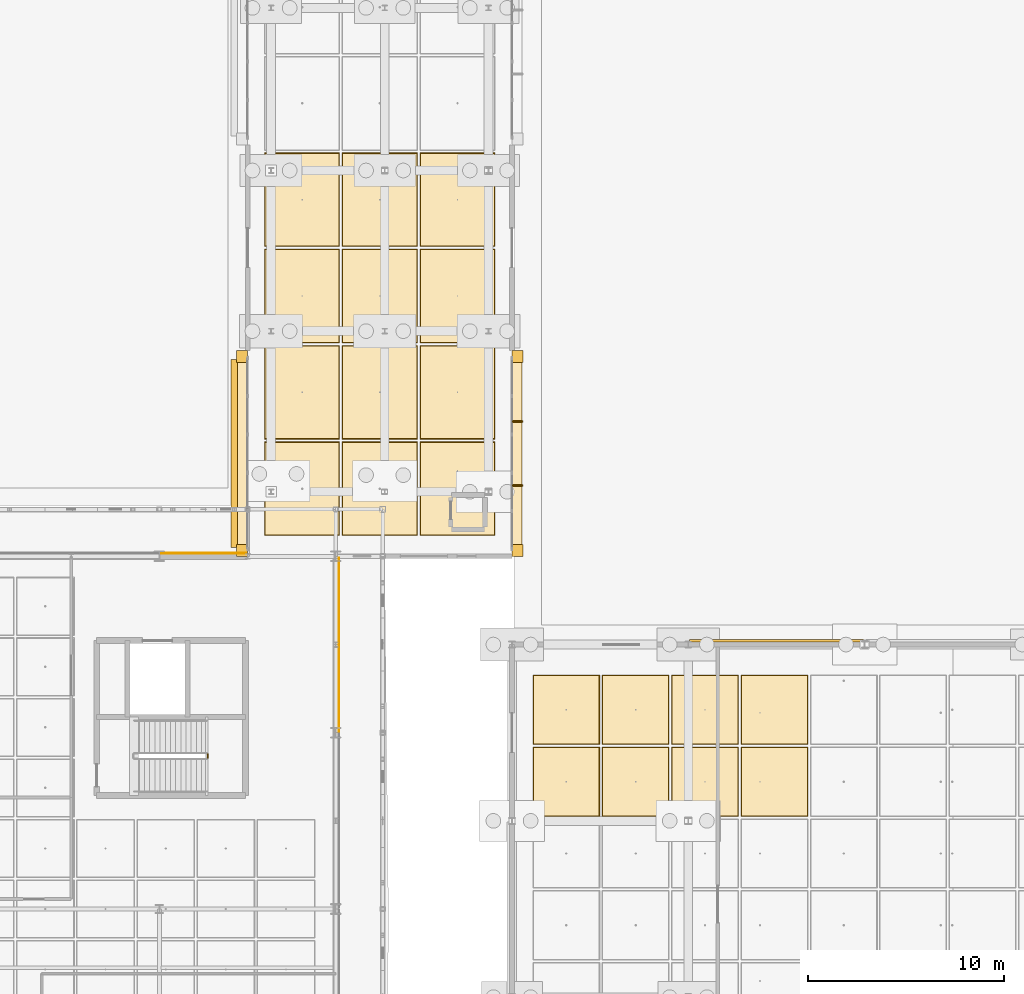
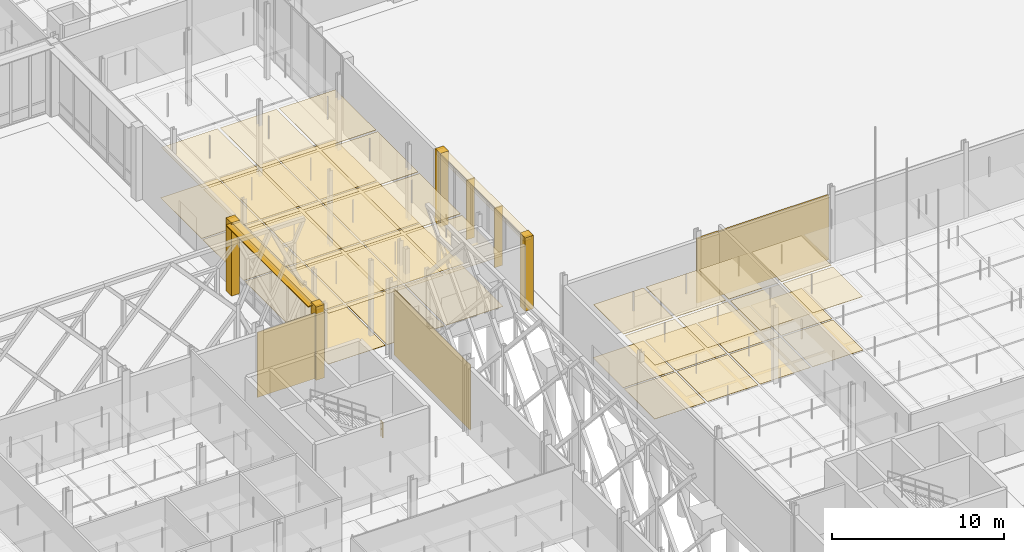
# One storey, part 168 of 180: 49 coverings, 3 shading devices, 1 railing.
"""IFC4 building model written with IfcOpenShell, lengths in metres."""

import ifcopenshell
import ifcopenshell.guid

model = None  # the IFC model being written
_history = None  # IfcOwnerHistory: only IFC2X3 demands one
_inside = {}  # id of a spatial element -> (the spatial element, [elements in it])
_under = {}  # id of a project, library or spatial element -> (it, [spatial elements below it])
_declared = {}  # id of a project -> (the project, [libraries it declares])
_typed = {}  # id of a type object -> (the type object, [elements of that type])
_made_of = {}  # id of a material, layer set ... -> (it, [elements and type objects made of it])


def new_model(schema):
    """Start an empty IFC model of exactly this schema.

    Asked for "IFC4X3", IfcOpenShell would pick the latest addendum, in which some entities
    have other attributes; the version numbers below select the first issue.
    IFC2X3 requires an IfcOwnerHistory on every rooted entity: one is made here for all.
    """
    global model, _history
    if schema == "IFC4X3":
        model = ifcopenshell.file(schema_version=(4, 3, 0, 0))
    else:
        model = ifcopenshell.file(schema=schema)
    _inside.clear()
    _under.clear()
    _declared.clear()
    _typed.clear()
    _made_of.clear()
    _history = None
    if model.schema == "IFC2X3":
        org = make("IfcOrganization", Name="unknown")
        user = make(
            "IfcPersonAndOrganization",
            ThePerson=make("IfcPerson", FamilyName="unknown"),
            TheOrganization=org,
        )
        app = make(
            "IfcApplication",
            ApplicationDeveloper=org,
            Version="unknown",
            ApplicationFullName="unknown",
            ApplicationIdentifier="unknown",
        )
        _history = make(
            "IfcOwnerHistory",
            OwningUser=user,
            OwningApplication=app,
            ChangeAction="ADDED",
            CreationDate=0,
        )
    return model


def make(cls, **values):
    """One entity of the class cls with the attributes given. An attribute that is None is left unset."""
    return model.create_entity(
        cls, **{name: value for name, value in values.items() if value is not None}
    )


def rooted(cls, **values):
    """An entity with a GlobalId (a new one), such as an element, a storey or a relation."""
    return make(cls, GlobalId=ifcopenshell.guid.new(), OwnerHistory=_history, **values)


def si_unit(unit_type, name, prefix=None):
    """IfcSIUnit, for example si_unit("LENGTHUNIT", "METRE", prefix="MILLI")."""
    return make("IfcSIUnit", UnitType=unit_type, Prefix=prefix, Name=name)


def assignment(units):
    """IfcUnitAssignment: the units of a project."""
    return None if units is None else make("IfcUnitAssignment", Units=units)


def point(xyz):
    """IfcCartesianPoint."""
    return None if xyz is None else make("IfcCartesianPoint", Coordinates=xyz)


def direction(xyz):
    """IfcDirection."""
    return None if xyz is None else make("IfcDirection", DirectionRatios=xyz)


def frame(location, z_axis=None, x_axis=None):
    """IfcAxis2Placement3D, a coordinate frame: its origin and axes. An axis left out is left unset."""
    return make(
        "IfcAxis2Placement3D",
        Location=point(location),
        Axis=direction(z_axis),
        RefDirection=direction(x_axis),
    )


def frame_2d(location, x_axis=None):
    """IfcAxis2Placement2D, a coordinate frame in the plane: its origin and x axis."""
    return make(
        "IfcAxis2Placement2D", Location=point(location), RefDirection=direction(x_axis)
    )


def origin():
    """The frame at (0, 0, 0) with its axes left unset."""
    return frame((0.0, 0.0, 0.0))


def origin_2d():
    """The frame at (0, 0) in the plane with its x axis left unset."""
    return frame_2d((0.0, 0.0))


def place(relative_to, where):
    """IfcLocalPlacement: puts the frame where relative to a parent placement (None: the world)."""
    return make(
        "IfcLocalPlacement", PlacementRelTo=relative_to, RelativePlacement=where
    )


def context(
    kind, dimensions, precision=None, world=None, true_north=None, identifier=None
):
    """IfcGeometricRepresentationContext, for example the 3D "Model" context."""
    return make(
        "IfcGeometricRepresentationContext",
        ContextIdentifier=identifier,
        ContextType=kind,
        CoordinateSpaceDimension=dimensions,
        Precision=precision,
        WorldCoordinateSystem=world,
        TrueNorth=true_north,
    )


def subcontext(parent, identifier, kind, view, scale=None):
    """IfcGeometricRepresentationSubContext, for example "Body" below "Model"."""
    return make(
        "IfcGeometricRepresentationSubContext",
        ContextIdentifier=identifier,
        ContextType=kind,
        ParentContext=parent,
        TargetScale=scale,
        TargetView=view,
    )


def project(units=None, contexts=None):
    """IfcProject with its units and contexts."""
    return rooted(
        "IfcProject",
        Name="project",
        RepresentationContexts=contexts,
        UnitsInContext=assignment(units),
    )


def spatial(cls, under=None, at=None, **own):
    """A site, building, storey or space (cls), placed at a placement, below another one or the project."""
    s = rooted(cls, ObjectPlacement=at, **own)
    if under is not None:
        _under.setdefault(under.id(), (under, []))[1].append(s)
    return s


def profile(cls, at=None, kind="AREA", **sizes):
    """A parametric profile (cls). Its sizes go by their IFC names, for example OverallWidth=200.0."""
    return make(cls, ProfileType=kind, Position=at, **sizes)


def rectangle(**sizes):
    """IfcRectangleProfileDef."""
    return profile("IfcRectangleProfileDef", **sizes)


def circle(**sizes):
    """IfcCircleProfileDef."""
    return profile("IfcCircleProfileDef", **sizes)


def extrude(swept, where, along, depth):
    """IfcExtrudedAreaSolid: the profile swept, set in the frame where, extruded along a direction by depth."""
    return make(
        "IfcExtrudedAreaSolid",
        SweptArea=swept,
        Position=where,
        ExtrudedDirection=direction(along),
        Depth=depth,
    )


def shape(context_of_items, identifier, shape_type, items):
    """IfcShapeRepresentation: the items that make up one representation, for example the "Body"."""
    return make(
        "IfcShapeRepresentation",
        ContextOfItems=context_of_items,
        RepresentationIdentifier=identifier,
        RepresentationType=shape_type,
        Items=items,
    )


def material(Name=None, Category=None):
    """IfcMaterial."""
    return make("IfcMaterial", Name=Name, Category=Category)


def layer(
    of_material, thickness, ventilated=None, Name=None, Category=None, Priority=None
):
    """IfcMaterialLayer: one layer of a wall or slab, of a material (None: an air gap)."""
    return make(
        "IfcMaterialLayer",
        Material=of_material,
        LayerThickness=thickness,
        IsVentilated=ventilated,
        Name=Name,
        Category=Category,
        Priority=Priority,
    )


def layer_set(layers, Name=None):
    """IfcMaterialLayerSet."""
    return make("IfcMaterialLayerSet", MaterialLayers=layers, LayerSetName=Name)


def made_of(thing, what):
    """Note that an element or type object is made of a material, layer set ...; save() writes the relation."""
    if what is not None:
        _made_of.setdefault(what.id(), (what, []))[1].append(thing)
    return thing


def type_object(cls, material=None, **own):
    """A type object (cls), such as IfcWallType, which elements share."""
    return made_of(rooted(cls, **own), material)


def element(
    cls,
    number,
    at=None,
    inside=None,
    cuts=None,
    type_object=None,
    material=None,
    context=None,
    identifier="Body",
    shape_type=None,
    held_by="IfcProductDefinitionShape",
    body=None,
    shapes=None,
    **own,
):
    """One element of the class cls, such as IfcWall. Its Tag is "e" and its number.

    at: its placement. inside: the storey or other place that contains it. cuts: it is an
    opening in that element (IfcRelVoidsElement). A single representation is given by context,
    identifier, shape_type and body (its items); several are given by shapes. held_by: the class
    of the entity that holds the representations. save() writes the other relations.
    """
    e = rooted(cls, Tag="e%d" % number, ObjectPlacement=at, **own)
    if body is not None:
        shapes = [shape(context, identifier, shape_type, body)]
    if shapes is not None:
        e.Representation = make(held_by, Representations=shapes)
    if inside is not None:
        _inside.setdefault(inside.id(), (inside, []))[1].append(e)
    if cuts is not None:
        rooted(
            "IfcRelVoidsElement", RelatingBuildingElement=cuts, RelatedOpeningElement=e
        )
    if type_object is not None:
        _typed.setdefault(type_object.id(), (type_object, []))[1].append(e)
    return made_of(e, material)


def aggregate(whole, parts):
    """IfcRelAggregates: a whole, such as a stair, and the parts it consists of."""
    return rooted("IfcRelAggregates", RelatingObject=whole, RelatedObjects=parts)


def save(model, path):
    """Write the relations noted so far, then the file.

    IfcRelAggregates (storeys below a building ...), IfcRelContainedInSpatialStructure (elements
    in a storey), IfcRelDefinesByType, IfcRelAssociatesMaterial and IfcRelDeclares: one each for
    every whole, place, type object, material and project.
    """
    for whole, parts in _under.values():
        aggregate(whole, parts)
    for where, things in _inside.values():
        rooted(
            "IfcRelContainedInSpatialStructure",
            RelatedElements=things,
            RelatingStructure=where,
        )
    for kind, things in _typed.values():
        rooted("IfcRelDefinesByType", RelatedObjects=things, RelatingType=kind)
    for what, things in _made_of.values():
        rooted("IfcRelAssociatesMaterial", RelatedObjects=things, RelatingMaterial=what)
    for by, libraries in _declared.values():
        rooted("IfcRelDeclares", RelatingContext=by, RelatedDefinitions=libraries)
    model.write(path)


model = new_model("IFC4")

# Units and contexts
model_context = context("Model", 3, precision=1e-05, world=origin(), true_north=direction((0.0, 1.0)))
body_context = subcontext(model_context, "Body", "Model", "MODEL_VIEW")
ifc_project = project(units=[si_unit("LENGTHUNIT", "METRE"), si_unit("AREAUNIT", "SQUARE_METRE"), si_unit("VOLUMEUNIT", "CUBIC_METRE"), si_unit("PLANEANGLEUNIT", "RADIAN"), si_unit("MASSUNIT", "GRAM", prefix="KILO"), si_unit("THERMODYNAMICTEMPERATUREUNIT", "KELVIN"), si_unit("POWERUNIT", "WATT")], contexts=[model_context])

# Site, building, storey
site_placement = place(None, origin())
site = spatial("IfcSite", under=ifc_project, at=site_placement, CompositionType="ELEMENT")
building_placement = place(site_placement, origin())
building = spatial("IfcBuilding", under=site, at=building_placement, Name="Tallowbark Science Centre", CompositionType="ELEMENT")
storey_placement = place(building_placement, origin())
storey = spatial("IfcBuildingStorey", under=building, at=storey_placement, Name="L00", CompositionType="ELEMENT", Elevation=0.0)

# Coverings
ifc_material_1 = material(Name="Perforated Spotted Gum Acoustic Baffle Ceiling", Category="wood")
ifc_layer_1 = layer(ifc_material_1, 0.02490234375)
ifc_layer_set_1 = layer_set([ifc_layer_1], Name="Perforated Spotted Gum Acoustic Baffle Ceiling")
covering_type_1 = type_object("IfcCoveringType", Name="CLG-TIM-25", PredefinedType="CEILING", material=ifc_layer_set_1)
for number, where, z_axis, x_axis, name in (
    (1, (115.270751953125, 29.0, 3.78759765625), (0.0, 0.0, 1.0), (1.0, 0.0, 0.0), "Suspended Ceiling L00-205"),
    (2, (115.270751953125, 32.666748046875, 3.78759765625), (0.0, 0.0, 1.0), (1.0, 0.0, 0.0), "Suspended Ceiling L00-206"),
    (3, (118.8125, 29.0, 3.78759765625), (0.0, 0.0, 1.0), (1.0, 0.0, 0.0), "Suspended Ceiling L00-211"),
    (4, (118.8125, 32.666748046875, 3.78759765625), (0.0, 0.0, 1.0), (1.0, 0.0, 0.0), "Suspended Ceiling L00-212"),
    (5, (122.354248046875, 29.0, 3.78759765625), (0.0, 0.0, 1.0), (1.0, 0.0, 0.0), "Suspended Ceiling L00-217"),
    (6, (122.354248046875, 32.666748046875, 3.78759765625), (0.0, 0.0, 1.0), (1.0, 0.0, 0.0), "Suspended Ceiling L00-218"),
    (7, (125.895751953125, 29.0, 3.78759765625), (0.0, 0.0, 1.0), (1.0, 0.0, 0.0), "Suspended Ceiling L00-223"),
    (8, (125.895751953125, 32.666748046875, 3.78759765625), (0.0, 0.0, 1.0), (1.0, 0.0, 0.0), "Suspended Ceiling L00-224"),
):
    element("IfcCovering", number, at=place(storey_placement, frame(where, z_axis=z_axis, x_axis=x_axis)), inside=storey, type_object=covering_type_1, Name=name, PredefinedType="CEILING", context=body_context, shape_type="SweptSolid", body=[
        extrude(rectangle(XDim=3.36181640625, YDim=3.48681640625, at=origin_2d()), origin(), (0.0, 0.0, 1.0), 0.02490234375),
    ])
for number, where, z_axis, x_axis, name in (
    (9, (101.783203125, 43.958251953125, 3.587646484375), (0.0, 0.0, 1.0), (1.0, 0.0, 0.0), "Suspended Ceiling L00-465"),
    (10, (101.783203125, 48.875, 3.587646484375), (0.0, 0.0, 1.0), (1.0, 0.0, 0.0), "Suspended Ceiling L00-466"),
    (11, (101.783203125, 53.791748046875, 3.587646484375), (0.0, 0.0, 1.0), (1.0, 0.0, 0.0), "Suspended Ceiling L00-467"),
    (12, (101.783203125, 58.708251953125, 3.587646484375), (0.0, 0.0, 1.0), (1.0, 0.0, 0.0), "Suspended Ceiling L00-468"),
    (13, (105.75, 43.958251953125, 3.587646484375), (0.0, 0.0, 1.0), (1.0, 0.0, 0.0), "Suspended Ceiling L00-471"),
    (14, (105.75, 48.875, 3.587646484375), (0.0, 0.0, 1.0), (1.0, 0.0, 0.0), "Suspended Ceiling L00-472"),
    (15, (105.75, 53.791748046875, 3.587646484375), (0.0, 0.0, 1.0), (1.0, 0.0, 0.0), "Suspended Ceiling L00-473"),
    (16, (105.75, 58.708251953125, 3.587646484375), (0.0, 0.0, 1.0), (1.0, 0.0, 0.0), "Suspended Ceiling L00-474"),
    (17, (109.716796875, 43.958251953125, 3.587646484375), (0.0, 0.0, 1.0), (1.0, 0.0, 0.0), "Suspended Ceiling L00-477"),
    (18, (109.716796875, 48.875, 3.587646484375), (0.0, 0.0, 1.0), (1.0, 0.0, 0.0), "Suspended Ceiling L00-478"),
    (19, (109.716796875, 53.791748046875, 3.587646484375), (0.0, 0.0, 1.0), (1.0, 0.0, 0.0), "Suspended Ceiling L00-479"),
    (20, (109.716796875, 58.708251953125, 3.587646484375), (0.0, 0.0, 1.0), (1.0, 0.0, 0.0), "Suspended Ceiling L00-480"),
):
    element("IfcCovering", number, at=place(storey_placement, frame(where, z_axis=z_axis, x_axis=x_axis)), inside=storey, type_object=covering_type_1, Name=name, PredefinedType="CEILING", context=body_context, shape_type="SweptSolid", body=[
        extrude(rectangle(XDim=3.78662109375, YDim=4.73681640625, at=origin_2d()), origin(), (0.0, 0.0, 1.0), 0.02490234375),
    ])
ifc_material_2 = material(Name="White Architectural Precast Concrete Grade N40 (40 MPa)", Category="concrete")
ifc_layer_2 = layer(ifc_material_2, 0.1201171875)
ifc_layer_set_2 = layer_set([ifc_layer_2], Name="White Architectural Precast Concrete Grade N40 (40 MPa)")
covering_type_2 = type_object("IfcCoveringType", Name="COV-PRC-CLAD", PredefinedType="CLADDING", material=ifc_layer_set_2)
covering_1_placement = place(storey_placement, frame((126.0, 36.1923828125, 0.0498046875), z_axis=(0.0, 0.0, 1.0), x_axis=(-1.0, 0.0, 0.0)))
element("IfcCovering", 21, at=covering_1_placement, inside=storey, type_object=covering_type_2, Name="Architectural Rainscreen THT-N-L00-1", PredefinedType="CLADDING", context=body_context, shape_type="SweptSolid", body=[
    extrude(rectangle(XDim=8.8798828125, YDim=0.1201171875, at=origin_2d()), origin(), (0.0, 0.0, 1.0), 4.581298828125),
])
for number, where, z_axis, x_axis, name in (
    (22, (98.719970703125, 50.695068359375, 0.0), (0.0, 0.0, 1.0), (0.0, -1.0, 0.0), "Postmodern Deep Precast Pier CW-L00-006-1"),
    (23, (98.719970703125, 40.804931640625, 0.0), (0.0, 0.0, 1.0), (0.0, -1.0, 0.0), "Postmodern Deep Precast Pier CW-L00-006-2"),
    (24, (112.780029296875, 40.804931640625, 0.0), (0.0, 0.0, 1.0), (0.0, 1.0, 0.0), "Postmodern Deep Precast Pier CW-L00-007-1"),
    (25, (112.780029296875, 50.695068359375, 0.0), (0.0, 0.0, 1.0), (0.0, 1.0, 0.0), "Postmodern Deep Precast Pier CW-L00-007-2"),
):
    element("IfcCovering", number, at=place(storey_placement, frame(where, z_axis=z_axis, x_axis=x_axis)), inside=storey, type_object=covering_type_2, Name=name, PredefinedType="CLADDING", context=body_context, shape_type="SweptSolid", body=[
        extrude(rectangle(XDim=0.610107421875, YDim=0.56005859375, at=origin_2d()), origin(), (0.0, 0.0, 1.0), 5.219970703125),
    ])
ifc_material_3 = material(Name="Vitrified Ochre Terracotta Architectural Rainscreen", Category="masonry")
ifc_layer_3 = layer(ifc_material_3, 0.0380859375)
ifc_layer_set_3 = layer_set([ifc_layer_3], Name="Vitrified Ochre Terracotta Architectural Rainscreen")
covering_type_3 = type_object("IfcCoveringType", Name="COV-TER-CLAD", PredefinedType="CLADDING", material=ifc_layer_set_3)
for number, where, z_axis, x_axis, name in (
    (26, (98.739990234375, 45.75, 4.8701171875), (0.0, 0.0, 1.0), (0.0, -1.0, 0.0), "Postmodern Terracotta Cornice Band CW-L00-006"),
    (27, (112.760009765625, 45.75, 4.8701171875), (0.0, 0.0, 1.0), (0.0, 1.0, 0.0), "Postmodern Terracotta Cornice Band CW-L00-007"),
):
    element("IfcCovering", number, at=place(storey_placement, frame(where, z_axis=z_axis, x_axis=x_axis)), inside=storey, type_object=covering_type_3, Name=name, PredefinedType="CLADDING", context=body_context, shape_type="SweptSolid", body=[
        extrude(rectangle(XDim=10.199951171875, YDim=0.52001953125, at=origin_2d()), origin(), (0.0, 0.0, 1.0), 0.340087890625),
    ])
ifc_material_4 = material(Name="Spotted Gum Hardwood Architectural Rainscreen", Category="wood")
ifc_layer_4 = layer(ifc_material_4, 0.0419921875)
ifc_layer_set_4 = layer_set([ifc_layer_4], Name="Spotted Gum Hardwood Architectural Rainscreen")
covering_type_4 = type_object("IfcCoveringType", Name="COV-TIM-CLAD", PredefinedType="CLADDING", material=ifc_layer_set_4)
covering_2_placement = place(storey_placement, frame((96.75, 40.66845703125, 0.0498046875), z_axis=(0.0, 0.0, 1.0), x_axis=(-1.0, 0.0, 0.0)))
element("IfcCovering", 28, at=covering_2_placement, inside=storey, type_object=covering_type_4, Name="Architectural Rainscreen CUB-N-L00-4", PredefinedType="CLADDING", context=body_context, shape_type="SweptSolid", body=[
    extrude(rectangle(XDim=4.3798828125, YDim=0.0419921875, at=origin_2d()), origin(), (0.0, 0.0, 1.0), 4.646240234375),
])
covering_3_placement = place(storey_placement, frame((103.66845703125, 36.0, 0.0498046875), z_axis=(0.0, 0.0, 1.0), x_axis=(0.0, 1.0, 0.0)))
element("IfcCovering", 29, at=covering_3_placement, inside=storey, type_object=covering_type_4, Name="Architectural Rainscreen CUB-E-L00-3", PredefinedType="CLADDING", context=body_context, shape_type="SweptSolid", body=[
    extrude(rectangle(XDim=8.8798828125, YDim=0.0419921875, at=origin_2d()), origin(), (0.0, 0.0, 1.0), 4.646240234375),
])
ifc_material_5 = material(Name="Solution-Dyed Acoustic Theatre Carpet Tile")
ifc_layer_5 = layer(ifc_material_5, 0.013916015625)
ifc_layer_set_5 = layer_set([ifc_layer_5], Name="Solution-Dyed Acoustic Theatre Carpet Tile")
covering_type_5 = type_object("IfcCoveringType", Name="FLR-CRP-14", PredefinedType="FLOORING", material=ifc_layer_set_5)
for number, where, z_axis, x_axis, name in (
    (30, (115.270751953125, 29.0, 0.0), (0.0, 0.0, 1.0), (1.0, 0.0, 0.0), "Floor Finish L00-205"),
    (31, (115.270751953125, 32.666748046875, 0.0), (0.0, 0.0, 1.0), (1.0, 0.0, 0.0), "Floor Finish L00-206"),
    (32, (118.8125, 29.0, 0.0), (0.0, 0.0, 1.0), (1.0, 0.0, 0.0), "Floor Finish L00-211"),
    (33, (118.8125, 32.666748046875, 0.0), (0.0, 0.0, 1.0), (1.0, 0.0, 0.0), "Floor Finish L00-212"),
    (34, (122.354248046875, 29.0, 0.0), (0.0, 0.0, 1.0), (1.0, 0.0, 0.0), "Floor Finish L00-217"),
    (35, (122.354248046875, 32.666748046875, 0.0), (0.0, 0.0, 1.0), (1.0, 0.0, 0.0), "Floor Finish L00-218"),
    (36, (125.895751953125, 29.0, 0.0), (0.0, 0.0, 1.0), (1.0, 0.0, 0.0), "Floor Finish L00-223"),
    (37, (125.895751953125, 32.666748046875, 0.0), (0.0, 0.0, 1.0), (1.0, 0.0, 0.0), "Floor Finish L00-224"),
):
    element("IfcCovering", number, at=place(storey_placement, frame(where, z_axis=z_axis, x_axis=x_axis)), inside=storey, type_object=covering_type_5, Name=name, PredefinedType="FLOORING", context=body_context, shape_type="SweptSolid", body=[
        extrude(rectangle(XDim=3.421630859375, YDim=3.546630859375, at=origin_2d()), origin(), (0.0, 0.0, 1.0), 0.013916015625),
    ])
ifc_material_6 = material(Name="Polished Recycled-Glass Terrazzo Foyer Flooring", Category="glass")
ifc_layer_6 = layer(ifc_material_6, 0.02001953125)
ifc_layer_set_6 = layer_set([ifc_layer_6], Name="Polished Recycled-Glass Terrazzo Foyer Flooring")
covering_type_6 = type_object("IfcCoveringType", Name="FLR-TER-20", PredefinedType="FLOORING", material=ifc_layer_set_6)
for number, where, z_axis, x_axis, name in (
    (38, (101.783203125, 43.958251953125, 0.0), (0.0, 0.0, 1.0), (1.0, 0.0, 0.0), "Floor Finish L00-465"),
    (39, (101.783203125, 48.875, 0.0), (0.0, 0.0, 1.0), (1.0, 0.0, 0.0), "Floor Finish L00-466"),
    (40, (101.783203125, 53.791748046875, 0.0), (0.0, 0.0, 1.0), (1.0, 0.0, 0.0), "Floor Finish L00-467"),
    (41, (101.783203125, 58.708251953125, 0.0), (0.0, 0.0, 1.0), (1.0, 0.0, 0.0), "Floor Finish L00-468"),
    (42, (105.75, 43.958251953125, 0.0), (0.0, 0.0, 1.0), (1.0, 0.0, 0.0), "Floor Finish L00-471"),
    (43, (105.75, 48.875, 0.0), (0.0, 0.0, 1.0), (1.0, 0.0, 0.0), "Floor Finish L00-472"),
    (44, (105.75, 53.791748046875, 0.0), (0.0, 0.0, 1.0), (1.0, 0.0, 0.0), "Floor Finish L00-473"),
    (45, (105.75, 58.708251953125, 0.0), (0.0, 0.0, 1.0), (1.0, 0.0, 0.0), "Floor Finish L00-474"),
    (46, (109.716796875, 43.958251953125, 0.0), (0.0, 0.0, 1.0), (1.0, 0.0, 0.0), "Floor Finish L00-477"),
    (47, (109.716796875, 48.875, 0.0), (0.0, 0.0, 1.0), (1.0, 0.0, 0.0), "Floor Finish L00-478"),
    (48, (109.716796875, 53.791748046875, 0.0), (0.0, 0.0, 1.0), (1.0, 0.0, 0.0), "Floor Finish L00-479"),
    (49, (109.716796875, 58.708251953125, 0.0), (0.0, 0.0, 1.0), (1.0, 0.0, 0.0), "Floor Finish L00-480"),
):
    element("IfcCovering", number, at=place(storey_placement, frame(where, z_axis=z_axis, x_axis=x_axis)), inside=storey, type_object=covering_type_6, Name=name, PredefinedType="FLOORING", context=body_context, shape_type="SweptSolid", body=[
        extrude(rectangle(XDim=3.8466796875, YDim=4.796630859375, at=origin_2d()), origin(), (0.0, 0.0, 1.0), 0.02001953125),
    ])

# Railing
ifc_material_7 = material(Name="Galvanised Painted Steel and Laminated Glass Balustrade", Category="steel")
ifc_layer_7 = layer(ifc_material_7, 0.070068359375)
ifc_layer_set_7 = layer_set([ifc_layer_7], Name="Galvanised Painted Steel and Laminated Glass Balustrade")
railing_type = type_object("IfcRailingType", Name="RLG-BAL-1150", PredefinedType="BALUSTRADE", material=ifc_layer_set_7)
railing_placement = place(storey_placement, frame((96.969970703125, 30.2099609375, 2.699951171875)))
element("IfcRailing", 50, at=railing_placement, inside=storey, type_object=railing_type, Name="L00 ST-03 stair guard 2", PredefinedType="BALUSTRADE", context=body_context, shape_type="SweptSolid", body=[
    extrude(circle(Radius=0.02392578125, at=origin_2d()), frame((0.0, 0.0, 1.076171875), z_axis=(0.0, 1.0, 0.0), x_axis=(-1.0, 0.0, 0.0)), (0.0, 0.0, 1.0), 0.199951171875),
    extrude(circle(Radius=0.02392578125, at=origin_2d()), frame((0.0, 0.0, 0.550048828125), z_axis=(0.0, 1.0, 0.0), x_axis=(-1.0, 0.0, 0.0)), (0.0, 0.0, 1.0), 0.199951171875),
    extrude(circle(Radius=0.02099609375, at=origin_2d()), origin(), (0.0, 0.0, 1.0), 1.052001953125),
    extrude(circle(Radius=0.02099609375, at=origin_2d()), frame((0.0, 0.199951171875, 0.0)), (0.0, 0.0, 1.0), 1.052001953125),
])

# Shading devices
ifc_material_8 = material(Name="Sandstone-Finished Architectural Aluminium Solar Fin", Category="masonry")
shading_device_type_1 = type_object("IfcShadingDeviceType", Name="SHD-FIN-400", PredefinedType="JALOUSIE", material=ifc_material_8)
for number, where, z_axis, x_axis, name in (
    (51, (112.780029296875, 44.11669921875, 0.9248046875), (0.0, 0.0, 1.0), (0.0, 1.0, 0.0), "Vertical Solar Fin CW-L00-007-1"),
    (52, (112.780029296875, 47.38330078125, 0.9248046875), (0.0, 0.0, 1.0), (0.0, 1.0, 0.0), "Vertical Solar Fin CW-L00-007-2"),
):
    element("IfcShadingDevice", number, at=place(storey_placement, frame(where, z_axis=z_axis, x_axis=x_axis)), inside=storey, type_object=shading_device_type_1, Name=name, PredefinedType="JALOUSIE", context=body_context, shape_type="SweptSolid", body=[
        extrude(rectangle(XDim=0.074951171875, YDim=0.550048828125, at=origin_2d()), origin(), (0.0, 0.0, 1.0), 4.219970703125),
    ])
ifc_material_9 = material(Name="Terracotta-Anodised Extruded Aluminium Sunshade Blade", Category="masonry")
ifc_layer_8 = layer(ifc_material_9, 0.054931640625)
ifc_layer_set_8 = layer_set([ifc_layer_8], Name="Terracotta-Anodised Extruded Aluminium Sunshade Blade")
shading_device_type_2 = type_object("IfcShadingDeviceType", Name="SHD-LVR-300", PredefinedType="AWNING", material=ifc_layer_set_8)
shading_device_placement = place(storey_placement, frame((98.580078125, 45.75, 5.03271484375), z_axis=(0.0, 0.0, 1.0), x_axis=(0.0, -1.0, 0.0)))
element("IfcShadingDevice", 53, at=shading_device_placement, inside=storey, type_object=shading_device_type_2, Name="Horizontal Solar Louvre Hood CW-L00-006", PredefinedType="AWNING", context=body_context, shape_type="SweptSolid", body=[
    extrude(rectangle(XDim=9.60009765625, YDim=0.840087890625, at=origin_2d()), origin(), (0.0, 0.0, 1.0), 0.054931640625),
])

save(model, "model.ifc")
